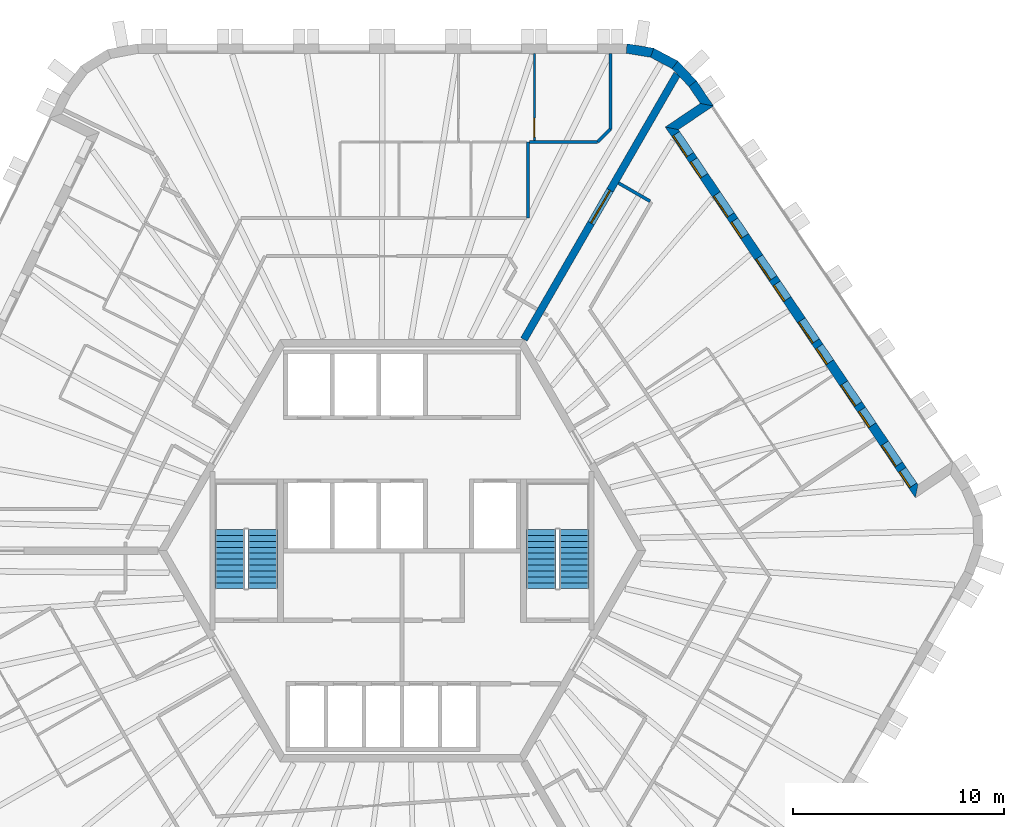
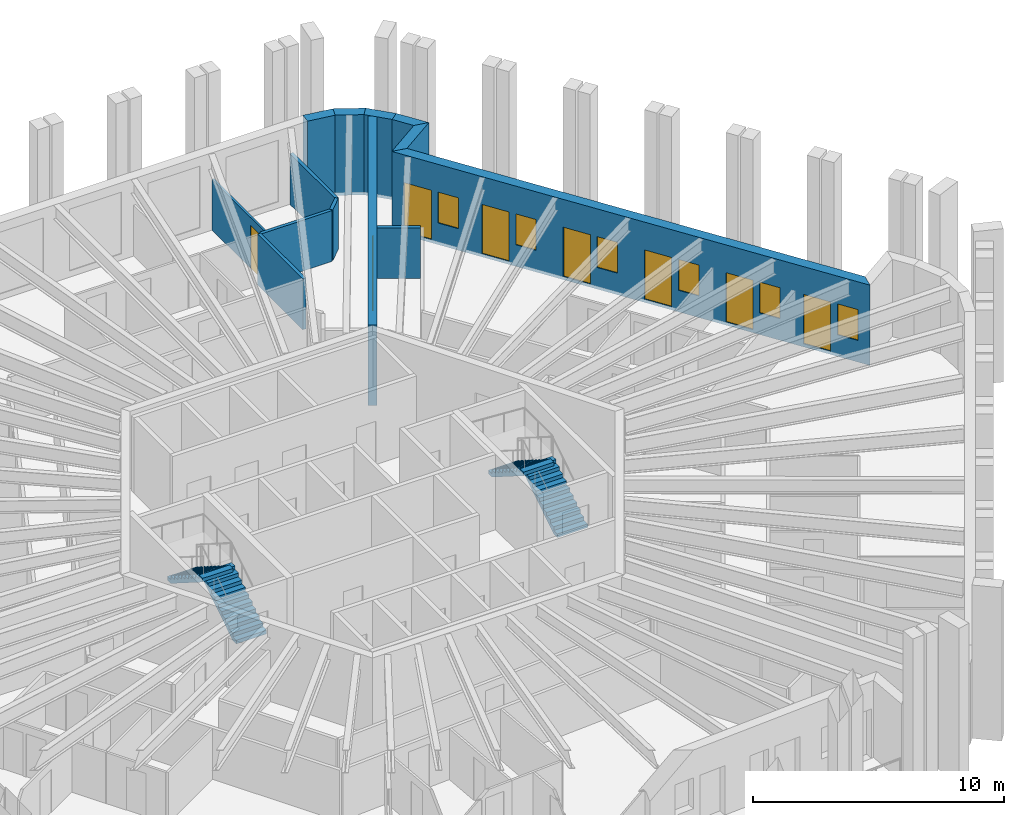
# One storey, part 10 of 12: 13 walls, 8 doors, 6 windows, 4 stair flights, 14 openings, 2 elements without a shape of their own.
"""IFC4 building model written with IfcOpenShell, lengths in metres."""

from ifc_helpers import new_model, si_unit, direction, frame, frame_2d, origin, place, context, subcontext, project, spatial, polyline, rectangle, outline, extrude, material, layer, layer_set, type_object, element, fill, aggregate, save


model = new_model("IFC4")

# Units and contexts
model_context = context("Model", 3, precision=1e-05, world=origin(), true_north=direction((0.0, 1.0)))
body_context = subcontext(model_context, "Body", "Model", "MODEL_VIEW")
ifc_project = project(units=[si_unit("LENGTHUNIT", "METRE"), si_unit("AREAUNIT", "SQUARE_METRE"), si_unit("VOLUMEUNIT", "CUBIC_METRE"), si_unit("PLANEANGLEUNIT", "RADIAN"), si_unit("MASSUNIT", "GRAM", prefix="KILO")], contexts=[model_context])

# Site, building, storey
site_placement = place(None, origin())
site = spatial("IfcSite", under=ifc_project, at=site_placement, CompositionType="ELEMENT")
building_placement = place(site_placement, origin())
building = spatial("IfcBuilding", under=site, at=building_placement, Name="Tarnside Tower", CompositionType="ELEMENT")
storey_placement = place(building_placement, frame((0.0, 0.0, 369.0)))
storey = spatial("IfcBuildingStorey", under=building, at=storey_placement, Name="L89", CompositionType="ELEMENT", Elevation=369.0)

# Wall, opening, door
ifc_material_1 = material(Name="Concrete C50/60", Category="concrete")
ifc_layer_1 = layer(ifc_material_1, 0.35009765625)
ifc_layer_set_1 = layer_set([ifc_layer_1], Name="Core wall Z4 350 C50/60")
wall_type_1 = type_object("IfcWallType", Name="Core wall Z4 350 C50/60", PredefinedType="SHEAR", material=ifc_layer_set_1)
wall_1_placement = place(storey_placement, frame((5.7734375, 10.0, -0.14990234375), z_axis=(0.0, 0.0, 1.0), x_axis=(0.500007911273, 0.866020836161, 0.0)))
wall_1 = element("IfcWall", 1, at=wall_1_placement, inside=storey, type_object=wall_type_1, Name="L89 spine wall 1", PredefinedType="SHEAR", context=body_context, shape_type="SweptSolid", body=[
    extrude(rectangle(XDim=14.510498046875, YDim=0.35009765625, at=frame_2d((7.25537109375, 0.0))), origin(), (0.0, 0.0, 1.0), 3.89990234375),
])
opening_1_placement = place(wall_1_placement, frame((6.355224609375, 0.0, 0.14990234375)))
opening_1 = element("IfcOpeningElement", 2, at=opening_1_placement, cuts=wall_1, Name="Opening CD-SPN", PredefinedType="OPENING", context=body_context, shape_type="SweptSolid", body=[
    extrude(rectangle(XDim=1.800048828125, YDim=2.39990234375, at=frame_2d((0.89990234375, 1.199951171875))), frame((0.0, 0.18505859375, 0.0), z_axis=(0.0, -1.0, 0.0), x_axis=(1.0, 0.0, 0.0)), (0.0, 0.0, 1.0), 0.3701171875),
])
ifc_material_2 = material(Name="Steel fire door", Category="steel")
door_type_1 = type_object("IfcDoorType", Name="Spine passage double door FD60 1800x2400", OperationType="NOTDEFINED", PredefinedType="DOOR", material=ifc_material_2)
door_1_placement = place(opening_1_placement, origin())
door_1 = element("IfcDoor", 3, at=door_1_placement, inside=storey, type_object=door_type_1, Name="L89 spine passage door 1", OperationType="DOUBLE_DOOR_SINGLE_SWING", OverallHeight=2.39990234375, OverallWidth=1.800048828125, PredefinedType="DOOR", context=body_context, shape_type="SweptSolid", body=[
    extrude(rectangle(XDim=1.800048828125, YDim=2.39990234375, at=frame_2d((0.89990234375, 1.199951171875))), frame((0.0, 0.02490234375, 0.0), z_axis=(0.0, -1.0, 0.0), x_axis=(1.0, 0.0, 0.0)), (0.0, 0.0, 1.0), 0.050048828125),
])
fill(opening_1, door_1)

# Walls
ifc_material_3 = material(Name="Gypsum board partition on steel studs", Category="steel")
ifc_layer_2 = layer(ifc_material_3, 0.14990234375)
ifc_layer_set_2 = layer_set([ifc_layer_2], Name="Corridor wall 150 EI 60")
wall_type_2 = type_object("IfcWallType", Name="Corridor wall 150 EI 60", PredefinedType="PARTITIONING", material=ifc_layer_set_2)
wall_2_placement = place(storey_placement, frame((5.9619140625, 19.35009765625, 0.0), z_axis=(0.0, 0.0, 1.0), x_axis=(0.0, -1.0, 0.0)))
element("IfcWall", 4, at=wall_2_placement, inside=storey, type_object=wall_type_2, Name="Corridor wall 29004", PredefinedType="PARTITIONING", context=body_context, shape_type="SweptSolid", body=[
    extrude(rectangle(XDim=3.60009765625, YDim=0.14990234375, at=frame_2d((1.800048828125, 0.0))), origin(), (0.0, 0.0, 1.0), 2.469970703125),
])
wall_3_placement = place(storey_placement, frame((9.268310546875, 19.35009765625, 0.0), z_axis=(0.0, 0.0, 1.0), x_axis=(-1.0, 0.0, 0.0)))
element("IfcWall", 5, at=wall_3_placement, inside=storey, type_object=wall_type_2, Name="Corridor wall 29006", PredefinedType="PARTITIONING", context=body_context, shape_type="SweptSolid", body=[
    extrude(rectangle(XDim=3.234375, YDim=0.14990234375, at=frame_2d((1.6171875, 0.0))), origin(), (0.0, 0.0, 1.0), 2.469970703125),
])
wall_4_placement = place(storey_placement, frame((9.8681640625, 19.94970703125, 0.0), z_axis=(0.0, 0.0, 1.0), x_axis=(-0.707250750801, -0.706962782254, 0.0)))
element("IfcWall", 6, at=wall_4_placement, inside=storey, type_object=wall_type_2, Name="Corridor wall 29007", PredefinedType="PARTITIONING", context=body_context, shape_type="SweptSolid", body=[
    extrude(rectangle(XDim=0.847900390625, YDim=0.14990234375, at=frame_2d((0.423828125, 0.0))), origin(), (0.0, 0.0, 1.0), 2.469970703125),
])
wall_5_placement = place(storey_placement, frame((9.868408203125, 23.550048828125, 0.0), z_axis=(0.0, 0.0, 1.0), x_axis=(0.0, -1.0, 0.0)))
element("IfcWall", 7, at=wall_5_placement, inside=storey, type_object=wall_type_2, Name="Corridor wall 29008", PredefinedType="PARTITIONING", context=body_context, shape_type="SweptSolid", body=[
    extrude(rectangle(XDim=3.599853515625, YDim=0.14990234375, at=frame_2d((1.7998046875, 0.0))), origin(), (0.0, 0.0, 1.0), 2.469970703125),
])
wall_6_placement = place(storey_placement, frame((11.74658203125, 16.545654296875, 0.0), z_axis=(0.0, 0.0, 1.0), x_axis=(-0.866013532718, 0.500020560727, 0.0)))
element("IfcWall", 8, at=wall_6_placement, inside=storey, type_object=wall_type_2, Name="Corridor wall 29064", PredefinedType="PARTITIONING", context=body_context, shape_type="SweptSolid", body=[
    extrude(rectangle(XDim=1.72509765625, YDim=0.14990234375, at=frame_2d((0.862548828125, 0.0))), origin(), (0.0, 0.0, 1.0), 2.469970703125),
])

# Wall, openings, doors, windows
ifc_material_4 = material(Name="Dark zinc cladding")
ifc_layer_3 = layer(ifc_material_4, 0.10205078125)
ifc_material_5 = material(Name="Concrete C60/75 precast", Category="concrete")
ifc_layer_4 = layer(ifc_material_5, 0.248046875)
ifc_material_6 = material(Name="Mineral wool insulation")
ifc_layer_5 = layer(ifc_material_6, 0.10009765625)
ifc_layer_set_3 = layer_set([ifc_layer_3, ifc_layer_4, ifc_layer_5], Name="Loggia wall 450 zinc faced")
wall_type_3 = type_object("IfcWallType", Name="Loggia wall 450 zinc faced", PredefinedType="SOLIDWALL", material=ifc_layer_set_3)
wall_7_placement = place(storey_placement, frame((24.36962890625, 2.810546875, -0.14990234375), z_axis=(0.0, 0.0, 1.0), x_axis=(-0.559187034749, 0.829041531027, 0.0)))
wall_7 = element("IfcWall", 9, at=wall_7_placement, inside=storey, type_object=wall_type_3, Name="Tube wall L89 F6 back 30", PredefinedType="SOLIDWALL", context=body_context, shape_type="SweptSolid", body=[
    extrude(outline(polyline([(0.224853515625, -0.22509765625), (20.50634765625, -0.22509765625), (20.95654296875, 0.22509765625), (-0.224853515625, 0.22509765625), (0.224853515625, -0.22509765625)])), origin(), (0.0, 0.0, 1.0), 3.89990234375),
])
opening_2_placement = place(wall_7_placement, frame((0.324951171875, 0.0, 1.050048828125)))
opening_2 = element("IfcOpeningElement", 10, at=opening_2_placement, cuts=wall_7, Name="Opening WL450", PredefinedType="OPENING", context=body_context, shape_type="SweptSolid", body=[
    extrude(rectangle(XDim=0.89990234375, YDim=1.5, at=frame_2d((0.449951171875, 0.75))), frame((0.0, 0.23486328125, 0.0), z_axis=(0.0, -1.0, 0.0), x_axis=(1.0, 0.0, 0.0)), (0.0, 0.0, 1.0), 0.469970703125),
])
opening_3_placement = place(wall_7_placement, frame((1.52490234375, 0.0, 0.14990234375)))
opening_3 = element("IfcOpeningElement", 11, at=opening_3_placement, cuts=wall_7, Name="Opening DB450", PredefinedType="OPENING", context=body_context, shape_type="SweptSolid", body=[
    extrude(rectangle(XDim=1.199951171875, YDim=2.39990234375, at=frame_2d((0.60009765625, 1.199951171875))), frame((0.0, 0.23486328125, 0.0), z_axis=(0.0, -1.0, 0.0), x_axis=(1.0, 0.0, 0.0)), (0.0, 0.0, 1.0), 0.469970703125),
])
opening_4_placement = place(wall_7_placement, frame((3.765869140625, 0.0, 1.050048828125)))
opening_4 = element("IfcOpeningElement", 12, at=opening_4_placement, cuts=wall_7, Name="Opening WL450", PredefinedType="OPENING", context=body_context, shape_type="SweptSolid", body=[
    extrude(rectangle(XDim=0.89990234375, YDim=1.5, at=frame_2d((0.449951171875, 0.75))), frame((0.0, 0.23486328125, 0.0), z_axis=(0.0, -1.0, 0.0), x_axis=(1.0, 0.0, 0.0)), (0.0, 0.0, 1.0), 0.469970703125),
])
opening_5_placement = place(wall_7_placement, frame((4.9658203125, 0.0, 0.14990234375)))
opening_5 = element("IfcOpeningElement", 13, at=opening_5_placement, cuts=wall_7, Name="Opening DB450", PredefinedType="OPENING", context=body_context, shape_type="SweptSolid", body=[
    extrude(rectangle(XDim=1.199951171875, YDim=2.39990234375, at=frame_2d((0.60009765625, 1.199951171875))), frame((0.0, 0.23486328125, 0.0), z_axis=(0.0, -1.0, 0.0), x_axis=(1.0, 0.0, 0.0)), (0.0, 0.0, 1.0), 0.469970703125),
])
opening_6_placement = place(wall_7_placement, frame((7.36572265625, 0.0, 1.050048828125)))
opening_6 = element("IfcOpeningElement", 14, at=opening_6_placement, cuts=wall_7, Name="Opening WL450", PredefinedType="OPENING", context=body_context, shape_type="SweptSolid", body=[
    extrude(rectangle(XDim=0.89990234375, YDim=1.5, at=frame_2d((0.449951171875, 0.75))), frame((0.0, 0.23486328125, 0.0), z_axis=(0.0, -1.0, 0.0), x_axis=(1.0, 0.0, 0.0)), (0.0, 0.0, 1.0), 0.469970703125),
])
opening_7_placement = place(wall_7_placement, frame((8.56591796875, 0.0, 0.14990234375)))
opening_7 = element("IfcOpeningElement", 15, at=opening_7_placement, cuts=wall_7, Name="Opening DB450", PredefinedType="OPENING", context=body_context, shape_type="SweptSolid", body=[
    extrude(rectangle(XDim=1.199951171875, YDim=2.39990234375, at=frame_2d((0.60009765625, 1.199951171875))), frame((0.0, 0.23486328125, 0.0), z_axis=(0.0, -1.0, 0.0), x_axis=(1.0, 0.0, 0.0)), (0.0, 0.0, 1.0), 0.469970703125),
])
opening_8_placement = place(wall_7_placement, frame((10.9658203125, 0.0, 1.050048828125)))
opening_8 = element("IfcOpeningElement", 16, at=opening_8_placement, cuts=wall_7, Name="Opening WL450", PredefinedType="OPENING", context=body_context, shape_type="SweptSolid", body=[
    extrude(rectangle(XDim=0.89990234375, YDim=1.5, at=frame_2d((0.449951171875, 0.75))), frame((0.0, 0.23486328125, 0.0), z_axis=(0.0, -1.0, 0.0), x_axis=(1.0, 0.0, 0.0)), (0.0, 0.0, 1.0), 0.469970703125),
])
opening_9_placement = place(wall_7_placement, frame((12.165771484375, 0.0, 0.14990234375)))
opening_9 = element("IfcOpeningElement", 17, at=opening_9_placement, cuts=wall_7, Name="Opening DB450", PredefinedType="OPENING", context=body_context, shape_type="SweptSolid", body=[
    extrude(rectangle(XDim=1.199951171875, YDim=2.39990234375, at=frame_2d((0.60009765625, 1.199951171875))), frame((0.0, 0.23486328125, 0.0), z_axis=(0.0, -1.0, 0.0), x_axis=(1.0, 0.0, 0.0)), (0.0, 0.0, 1.0), 0.469970703125),
])
opening_10_placement = place(wall_7_placement, frame((14.56591796875, 0.0, 1.050048828125)))
opening_10 = element("IfcOpeningElement", 18, at=opening_10_placement, cuts=wall_7, Name="Opening WL450", PredefinedType="OPENING", context=body_context, shape_type="SweptSolid", body=[
    extrude(rectangle(XDim=0.89990234375, YDim=1.5, at=frame_2d((0.449951171875, 0.75))), frame((0.0, 0.23486328125, 0.0), z_axis=(0.0, -1.0, 0.0), x_axis=(1.0, 0.0, 0.0)), (0.0, 0.0, 1.0), 0.469970703125),
])
opening_11_placement = place(wall_7_placement, frame((15.765869140625, 0.0, 0.14990234375)))
opening_11 = element("IfcOpeningElement", 19, at=opening_11_placement, cuts=wall_7, Name="Opening DB450", PredefinedType="OPENING", context=body_context, shape_type="SweptSolid", body=[
    extrude(rectangle(XDim=1.199951171875, YDim=2.39990234375, at=frame_2d((0.60009765625, 1.199951171875))), frame((0.0, 0.23486328125, 0.0), z_axis=(0.0, -1.0, 0.0), x_axis=(1.0, 0.0, 0.0)), (0.0, 0.0, 1.0), 0.469970703125),
])
opening_12_placement = place(wall_7_placement, frame((18.006591796875, 0.0, 1.050048828125)))
opening_12 = element("IfcOpeningElement", 20, at=opening_12_placement, cuts=wall_7, Name="Opening WL450", PredefinedType="OPENING", context=body_context, shape_type="SweptSolid", body=[
    extrude(rectangle(XDim=0.89990234375, YDim=1.5, at=frame_2d((0.449951171875, 0.75))), frame((0.0, 0.23486328125, 0.0), z_axis=(0.0, -1.0, 0.0), x_axis=(1.0, 0.0, 0.0)), (0.0, 0.0, 1.0), 0.469970703125),
])
opening_13_placement = place(wall_7_placement, frame((19.20654296875, 0.0, 0.14990234375)))
opening_13 = element("IfcOpeningElement", 21, at=opening_13_placement, cuts=wall_7, Name="Opening DB450", PredefinedType="OPENING", context=body_context, shape_type="SweptSolid", body=[
    extrude(rectangle(XDim=1.199951171875, YDim=2.39990234375, at=frame_2d((0.60009765625, 1.199951171875))), frame((0.0, 0.23486328125, 0.0), z_axis=(0.0, -1.0, 0.0), x_axis=(1.0, 0.0, 0.0)), (0.0, 0.0, 1.0), 0.469970703125),
])
ifc_material_7 = material(Name="Aluminium-framed double glazing", Category="aluminium")
door_type_2 = type_object("IfcDoorType", Name="Balcony sliding door 1200 x 2400 in 450 wall", OperationType="SLIDING_TO_LEFT", PredefinedType="DOOR", material=ifc_material_7)
door_2_placement = place(opening_3_placement, frame((0.0, 0.150146484375, 0.0)))
door_2 = element("IfcDoor", 22, at=door_2_placement, inside=storey, type_object=door_type_2, Name="E.BD.L89.F6.00", OperationType="SLIDING_TO_LEFT", OverallHeight=2.39990234375, OverallWidth=1.199951171875, PredefinedType="DOOR", context=body_context, shape_type="SweptSolid", body=[
    extrude(rectangle(XDim=1.199951171875, YDim=2.39990234375, at=frame_2d((0.60009765625, 1.199951171875))), frame((0.0, 0.02490234375, 0.0), z_axis=(0.0, -1.0, 0.0), x_axis=(1.0, 0.0, 0.0)), (0.0, 0.0, 1.0), 0.050048828125),
])
fill(opening_3, door_2)
door_3_placement = place(opening_5_placement, frame((0.0, 0.150146484375, 0.0)))
door_3 = element("IfcDoor", 23, at=door_3_placement, inside=storey, type_object=door_type_2, Name="E.BD.L89.F6.01", OperationType="SLIDING_TO_LEFT", OverallHeight=2.39990234375, OverallWidth=1.199951171875, PredefinedType="DOOR", context=body_context, shape_type="SweptSolid", body=[
    extrude(rectangle(XDim=1.199951171875, YDim=2.39990234375, at=frame_2d((0.60009765625, 1.199951171875))), frame((0.0, 0.02490234375, 0.0), z_axis=(0.0, -1.0, 0.0), x_axis=(1.0, 0.0, 0.0)), (0.0, 0.0, 1.0), 0.050048828125),
])
fill(opening_5, door_3)
door_4_placement = place(opening_7_placement, frame((0.0, 0.150146484375, 0.0)))
door_4 = element("IfcDoor", 24, at=door_4_placement, inside=storey, type_object=door_type_2, Name="E.BD.L89.F6.02", OperationType="SLIDING_TO_LEFT", OverallHeight=2.39990234375, OverallWidth=1.199951171875, PredefinedType="DOOR", context=body_context, shape_type="SweptSolid", body=[
    extrude(rectangle(XDim=1.199951171875, YDim=2.39990234375, at=frame_2d((0.60009765625, 1.199951171875))), frame((0.0, 0.02490234375, 0.0), z_axis=(0.0, -1.0, 0.0), x_axis=(1.0, 0.0, 0.0)), (0.0, 0.0, 1.0), 0.050048828125),
])
fill(opening_7, door_4)
door_5_placement = place(opening_9_placement, frame((0.0, 0.150146484375, 0.0)))
door_5 = element("IfcDoor", 25, at=door_5_placement, inside=storey, type_object=door_type_2, Name="E.BD.L89.F6.03", OperationType="SLIDING_TO_LEFT", OverallHeight=2.39990234375, OverallWidth=1.199951171875, PredefinedType="DOOR", context=body_context, shape_type="SweptSolid", body=[
    extrude(rectangle(XDim=1.199951171875, YDim=2.39990234375, at=frame_2d((0.60009765625, 1.199951171875))), frame((0.0, 0.02490234375, 0.0), z_axis=(0.0, -1.0, 0.0), x_axis=(1.0, 0.0, 0.0)), (0.0, 0.0, 1.0), 0.050048828125),
])
fill(opening_9, door_5)
door_6_placement = place(opening_11_placement, frame((0.0, 0.150146484375, 0.0)))
door_6 = element("IfcDoor", 26, at=door_6_placement, inside=storey, type_object=door_type_2, Name="E.BD.L89.F6.04", OperationType="SLIDING_TO_LEFT", OverallHeight=2.39990234375, OverallWidth=1.199951171875, PredefinedType="DOOR", context=body_context, shape_type="SweptSolid", body=[
    extrude(rectangle(XDim=1.199951171875, YDim=2.39990234375, at=frame_2d((0.60009765625, 1.199951171875))), frame((0.0, 0.02490234375, 0.0), z_axis=(0.0, -1.0, 0.0), x_axis=(1.0, 0.0, 0.0)), (0.0, 0.0, 1.0), 0.050048828125),
])
fill(opening_11, door_6)
door_7_placement = place(opening_13_placement, frame((0.0, 0.150146484375, 0.0)))
door_7 = element("IfcDoor", 27, at=door_7_placement, inside=storey, type_object=door_type_2, Name="E.BD.L89.F6.05", OperationType="SLIDING_TO_LEFT", OverallHeight=2.39990234375, OverallWidth=1.199951171875, PredefinedType="DOOR", context=body_context, shape_type="SweptSolid", body=[
    extrude(rectangle(XDim=1.199951171875, YDim=2.39990234375, at=frame_2d((0.60009765625, 1.199951171875))), frame((0.0, 0.02490234375, 0.0), z_axis=(0.0, -1.0, 0.0), x_axis=(1.0, 0.0, 0.0)), (0.0, 0.0, 1.0), 0.050048828125),
])
fill(opening_13, door_7)
window_type = type_object("IfcWindowType", Name="Loggia window 900 x 1500 in 450 wall", PartitioningType="SINGLE_PANEL", PredefinedType="WINDOW", material=ifc_material_7)
window_1_placement = place(opening_2_placement, frame((0.0, 0.1552734375, 0.0)))
window_1 = element("IfcWindow", 28, at=window_1_placement, inside=storey, type_object=window_type, Name="E.LW.L89.F6.00", OverallHeight=1.5, OverallWidth=0.89990234375, PartitioningType="SINGLE_PANEL", PredefinedType="WINDOW", context=body_context, shape_type="SweptSolid", body=[
    extrude(rectangle(XDim=0.89990234375, YDim=1.5, at=frame_2d((0.449951171875, 0.75))), frame((0.0, 0.030029296875, 0.0), z_axis=(0.0, -1.0, 0.0), x_axis=(1.0, 0.0, 0.0)), (0.0, 0.0, 1.0), 0.06005859375),
])
fill(opening_2, window_1)
window_2_placement = place(opening_4_placement, frame((0.0, 0.1552734375, 0.0)))
window_2 = element("IfcWindow", 29, at=window_2_placement, inside=storey, type_object=window_type, Name="E.LW.L89.F6.01", OverallHeight=1.5, OverallWidth=0.89990234375, PartitioningType="SINGLE_PANEL", PredefinedType="WINDOW", context=body_context, shape_type="SweptSolid", body=[
    extrude(rectangle(XDim=0.89990234375, YDim=1.5, at=frame_2d((0.449951171875, 0.75))), frame((0.0, 0.030029296875, 0.0), z_axis=(0.0, -1.0, 0.0), x_axis=(1.0, 0.0, 0.0)), (0.0, 0.0, 1.0), 0.06005859375),
])
fill(opening_4, window_2)
window_3_placement = place(opening_6_placement, frame((0.0, 0.1552734375, 0.0)))
window_3 = element("IfcWindow", 30, at=window_3_placement, inside=storey, type_object=window_type, Name="E.LW.L89.F6.02", OverallHeight=1.5, OverallWidth=0.89990234375, PartitioningType="SINGLE_PANEL", PredefinedType="WINDOW", context=body_context, shape_type="SweptSolid", body=[
    extrude(rectangle(XDim=0.89990234375, YDim=1.5, at=frame_2d((0.449951171875, 0.75))), frame((0.0, 0.030029296875, 0.0), z_axis=(0.0, -1.0, 0.0), x_axis=(1.0, 0.0, 0.0)), (0.0, 0.0, 1.0), 0.06005859375),
])
fill(opening_6, window_3)
window_4_placement = place(opening_8_placement, frame((0.0, 0.1552734375, 0.0)))
window_4 = element("IfcWindow", 31, at=window_4_placement, inside=storey, type_object=window_type, Name="E.LW.L89.F6.03", OverallHeight=1.5, OverallWidth=0.89990234375, PartitioningType="SINGLE_PANEL", PredefinedType="WINDOW", context=body_context, shape_type="SweptSolid", body=[
    extrude(rectangle(XDim=0.89990234375, YDim=1.5, at=frame_2d((0.449951171875, 0.75))), frame((0.0, 0.030029296875, 0.0), z_axis=(0.0, -1.0, 0.0), x_axis=(1.0, 0.0, 0.0)), (0.0, 0.0, 1.0), 0.06005859375),
])
fill(opening_8, window_4)
window_5_placement = place(opening_10_placement, frame((0.0, 0.1552734375, 0.0)))
window_5 = element("IfcWindow", 32, at=window_5_placement, inside=storey, type_object=window_type, Name="E.LW.L89.F6.04", OverallHeight=1.5, OverallWidth=0.89990234375, PartitioningType="SINGLE_PANEL", PredefinedType="WINDOW", context=body_context, shape_type="SweptSolid", body=[
    extrude(rectangle(XDim=0.89990234375, YDim=1.5, at=frame_2d((0.449951171875, 0.75))), frame((0.0, 0.030029296875, 0.0), z_axis=(0.0, -1.0, 0.0), x_axis=(1.0, 0.0, 0.0)), (0.0, 0.0, 1.0), 0.06005859375),
])
fill(opening_10, window_5)
window_6_placement = place(opening_12_placement, frame((0.0, 0.1552734375, 0.0)))
window_6 = element("IfcWindow", 33, at=window_6_placement, inside=storey, type_object=window_type, Name="E.LW.L89.F6.05", OverallHeight=1.5, OverallWidth=0.89990234375, PartitioningType="SINGLE_PANEL", PredefinedType="WINDOW", context=body_context, shape_type="SweptSolid", body=[
    extrude(rectangle(XDim=0.89990234375, YDim=1.5, at=frame_2d((0.449951171875, 0.75))), frame((0.0, 0.030029296875, 0.0), z_axis=(0.0, -1.0, 0.0), x_axis=(1.0, 0.0, 0.0)), (0.0, 0.0, 1.0), 0.06005859375),
])
fill(opening_12, window_6)

# Walls
wall_8_placement = place(storey_placement, frame((12.77685546875, 19.997802734375, -0.14990234375), z_axis=(0.0, 0.0, 1.0), x_axis=(0.829014217969, 0.559227526508, 0.0)))
element("IfcWall", 34, at=wall_8_placement, inside=storey, type_object=wall_type_3, Name="Tube wall L89 F6 return 31", PredefinedType="SOLIDWALL", context=body_context, shape_type="SweptSolid", body=[
    extrude(outline(polyline([(0.224853515625, -0.22509765625), (2.22509765625, -0.22509765625), (1.77490234375, 0.22509765625), (-0.224853515625, 0.22509765625), (0.224853515625, -0.22509765625)])), origin(), (0.0, 0.0, 1.0), 3.89990234375),
])
wall_9_placement = place(storey_placement, frame((14.434814453125, 21.1162109375, -0.14990234375), z_axis=(0.0, 0.0, 1.0), x_axis=(-0.559200218553, 0.829032638423, 0.0)))
element("IfcWall", 35, at=wall_9_placement, inside=storey, type_object=wall_type_3, Name="Tube wall L89 F6 stub 32", PredefinedType="SOLIDWALL", context=body_context, shape_type="SweptSolid", body=[
    extrude(outline(polyline([(-0.224853515625, -0.22509765625), (1.218017578125, -0.22509765625), (1.181396484375, 0.22509765625), (0.224853515625, 0.22509765625), (-0.224853515625, -0.22509765625)])), origin(), (0.0, 0.0, 1.0), 3.89990234375),
])

# Wall, opening, door
ifc_layer_6 = layer(ifc_material_3, 0.10009765625)
ifc_layer_set_4 = layer_set([ifc_layer_6], Name="Partition 100")
wall_type_4 = type_object("IfcWallType", Name="Partition 100", PredefinedType="PARTITIONING", material=ifc_layer_set_4)
wall_10_placement = place(storey_placement, frame((6.268310546875, 23.550048828125, 0.0), z_axis=(0.0, 0.0, 1.0), x_axis=(0.0, -1.0, 0.0)))
wall_10 = element("IfcWall", 36, at=wall_10_placement, inside=storey, type_object=wall_type_4, Name="Partition wall 29093", PredefinedType="PARTITIONING", context=body_context, shape_type="SweptSolid", body=[
    extrude(rectangle(XDim=4.125, YDim=0.10009765625, at=frame_2d((2.0625, 0.0))), origin(), (0.0, 0.0, 1.0), 2.469970703125),
])
opening_14_placement = place(wall_10_placement, frame((3.074951171875, 0.0, 0.0)))
opening_14 = element("IfcOpeningElement", 37, at=opening_14_placement, cuts=wall_10, Name="Opening D-I1", PredefinedType="OPENING", context=body_context, shape_type="SweptSolid", body=[
    extrude(rectangle(XDim=0.89990234375, YDim=2.10009765625, at=frame_2d((0.449951171875, 1.050048828125))), frame((0.0, 0.06005859375, 0.0), z_axis=(0.0, -1.0, 0.0), x_axis=(1.0, 0.0, 0.0)), (0.0, 0.0, 1.0), 0.1201171875),
])
ifc_material_8 = material(Name="Timber door leaf", Category="wood")
door_type_3 = type_object("IfcDoorType", Name="Internal door 900", OperationType="NOTDEFINED", PredefinedType="DOOR", material=ifc_material_8)
door_8_placement = place(opening_14_placement, origin())
door_8 = element("IfcDoor", 38, at=door_8_placement, inside=storey, type_object=door_type_3, Name="Internal door 29006", OperationType="SINGLE_SWING_RIGHT", OverallHeight=2.10009765625, OverallWidth=0.89990234375, PredefinedType="DOOR", context=body_context, shape_type="SweptSolid", body=[
    extrude(rectangle(XDim=0.89990234375, YDim=2.10009765625, at=frame_2d((0.449951171875, 1.050048828125))), frame((0.0, 0.02490234375, 0.0), z_axis=(0.0, -1.0, 0.0), x_axis=(1.0, 0.0, 0.0)), (0.0, 0.0, 1.0), 0.050048828125),
])
fill(opening_14, door_8)

# Walls
ifc_material_9 = material(Name="Facing brick", Category="masonry")
ifc_layer_7 = layer(ifc_material_9, 0.10205078125)
ifc_layer_8 = layer(ifc_material_5, 0.248046875)
ifc_layer_9 = layer(ifc_material_6, 0.10009765625)
ifc_layer_set_5 = layer_set([ifc_layer_7, ifc_layer_8, ifc_layer_9], Name="Tube wall 450 brick faced")
wall_type_5 = type_object("IfcWallType", Name="Tube wall 450 brick faced", PredefinedType="SOLIDWALL", material=ifc_layer_set_5)
wall_11_placement = place(storey_placement, frame((13.763916015625, 22.11083984375, -0.14990234375), z_axis=(0.0, 0.0, 1.0), x_axis=(-0.686272176549, 0.727344828603, 0.0)))
element("IfcWall", 39, at=wall_11_placement, inside=storey, type_object=wall_type_5, Name="Tube wall L89 F6 chord 33", PredefinedType="SOLIDWALL", context=body_context, shape_type="SweptSolid", body=[
    extrude(outline(polyline([(-0.018310546875, -0.22509765625), (1.261474609375, -0.22509765625), (1.187744140625, 0.22509765625), (0.018310546875, 0.22509765625), (-0.018310546875, -0.22509765625)])), origin(), (0.0, 0.0, 1.0), 3.89990234375),
])
wall_12_placement = place(storey_placement, frame((12.923583984375, 23.00146484375, -0.14990234375), z_axis=(0.0, 0.0, 1.0), x_axis=(-0.882898771447, 0.469563370993, 0.0)))
element("IfcWall", 40, at=wall_12_placement, inside=storey, type_object=wall_type_5, Name="Tube wall L89 F6 chord 34", PredefinedType="SOLIDWALL", context=body_context, shape_type="SweptSolid", body=[
    extrude(outline(polyline([(-0.036865234375, -0.22509765625), (1.26123046875, -0.22509765625), (1.1875, 0.22509765625), (0.036865234375, 0.22509765625), (-0.036865234375, -0.22509765625)])), origin(), (0.0, 0.0, 1.0), 3.89990234375),
])
wall_13_placement = place(storey_placement, frame((11.842529296875, 23.576416015625, -0.14990234375), z_axis=(0.0, 0.0, 1.0), x_axis=(-0.986773862881, 0.162102879475, 0.0)))
element("IfcWall", 41, at=wall_13_placement, inside=storey, type_object=wall_type_5, Name="Tube wall L89 F6 chord 35", PredefinedType="SOLIDWALL", context=body_context, shape_type="SweptSolid", body=[
    extrude(outline(polyline([(-0.036865234375, -0.22509765625), (1.24267578125, -0.22509765625), (1.2060546875, 0.22509765625), (0.036865234375, 0.22509765625), (-0.036865234375, -0.22509765625)])), origin(), (0.0, 0.0, 1.0), 3.89990234375),
])

# Stair, stair flights
ifc_material_10 = material(Name="Concrete C40/50", Category="concrete")
stair_type = type_object("IfcStairType", Name="Exit stair 1400 clear", PredefinedType="HALF_TURN_STAIR", material=ifc_material_10)
stair_1_placement = place(storey_placement, origin())
stair_1 = element("IfcStair", 42, at=stair_1_placement, inside=storey, type_object=stair_type, Name="L89 Exit stair 1", PredefinedType="HALF_TURN_STAIR")
stair_flight_type = type_object("IfcStairFlightType", Name="Exit stair flight 1400", PredefinedType="STRAIGHT", material=ifc_material_10)
stair_flight_1_placement = place(storey_placement, frame((8.14990234375, -1.800048828125, 0.0), z_axis=(0.0, 0.0, 1.0), x_axis=(0.0, 1.0, 0.0)))
stair_flight_1 = element("IfcStairFlight", 43, at=stair_flight_1_placement, type_object=stair_flight_type, Name="ST1 flight 1", NumberOfRisers=11, NumberOfTreads=10, PredefinedType="STRAIGHT", RiserHeight=0.177272727, TreadLength=0.28, context=body_context, shape_type="SweptSolid", body=[
    extrude(outline(polyline([(0.0, 0.0), (0.0, 0.17724609375), (0.280029296875, 0.17724609375), (0.280029296875, 0.3544921875), (0.56005859375, 0.3544921875), (0.56005859375, 0.53173828125), (0.840087890625, 0.53173828125), (0.840087890625, 0.708984375), (1.1201171875, 0.708984375), (1.1201171875, 0.886474609375), (1.39990234375, 0.886474609375), (1.39990234375, 1.063720703125), (1.679931640625, 1.063720703125), (1.679931640625, 1.240966796875), (1.9599609375, 1.240966796875), (1.9599609375, 1.418212890625), (2.239990234375, 1.418212890625), (2.239990234375, 1.595458984375), (2.52001953125, 1.595458984375), (2.52001953125, 1.772705078125), (2.800048828125, 1.772705078125), (2.800048828125, 1.949951171875), (2.800048828125, 1.59521484375), (0.2802734375, 0.0), (0.0, 0.0)])), frame((0.0, 0.699951171875, 0.0), z_axis=(0.0, -1.0, 0.0), x_axis=(1.0, 0.0, 0.0)), (0.0, 0.0, 1.0), 1.39990234375),
])
stair_flight_2_placement = place(storey_placement, frame((6.60009765625, 1.0, 1.949951171875), z_axis=(0.0, 0.0, 1.0), x_axis=(0.0, -1.0, 0.0)))
stair_flight_2 = element("IfcStairFlight", 44, at=stair_flight_2_placement, type_object=stair_flight_type, Name="ST1 flight 2", NumberOfRisers=11, NumberOfTreads=10, PredefinedType="STRAIGHT", RiserHeight=0.177272727, TreadLength=0.28, context=body_context, shape_type="SweptSolid", body=[
    extrude(outline(polyline([(0.0, 0.0), (0.0, 0.17724609375), (0.280029296875, 0.17724609375), (0.280029296875, 0.3544921875), (0.56005859375, 0.3544921875), (0.56005859375, 0.53173828125), (0.840087890625, 0.53173828125), (0.840087890625, 0.708984375), (1.1201171875, 0.708984375), (1.1201171875, 0.886474609375), (1.39990234375, 0.886474609375), (1.39990234375, 1.063720703125), (1.679931640625, 1.063720703125), (1.679931640625, 1.240966796875), (1.9599609375, 1.240966796875), (1.9599609375, 1.418212890625), (2.239990234375, 1.418212890625), (2.239990234375, 1.595458984375), (2.52001953125, 1.595458984375), (2.52001953125, 1.772705078125), (2.800048828125, 1.772705078125), (2.800048828125, 1.949951171875), (2.800048828125, 1.59521484375), (0.2802734375, 0.0), (0.0, 0.0)])), frame((0.0, 0.699951171875, 0.0), z_axis=(0.0, -1.0, 0.0), x_axis=(1.0, 0.0, 0.0)), (0.0, 0.0, 1.0), 1.39990234375),
])
aggregate(stair_1, [stair_flight_1, stair_flight_2])

stair_2_placement = place(storey_placement, origin())
stair_2 = element("IfcStair", 45, at=stair_2_placement, inside=storey, type_object=stair_type, Name="L89 Exit stair 2", PredefinedType="HALF_TURN_STAIR")
stair_flight_3_placement = place(storey_placement, frame((-6.60009765625, -1.800048828125, 0.0), z_axis=(0.0, 0.0, 1.0), x_axis=(0.0, 1.0, 0.0)))
stair_flight_3 = element("IfcStairFlight", 46, at=stair_flight_3_placement, type_object=stair_flight_type, Name="ST2 flight 1", NumberOfRisers=11, NumberOfTreads=10, PredefinedType="STRAIGHT", RiserHeight=0.177272727, TreadLength=0.28, context=body_context, shape_type="SweptSolid", body=[
    extrude(outline(polyline([(0.0, 0.0), (0.0, 0.17724609375), (0.280029296875, 0.17724609375), (0.280029296875, 0.3544921875), (0.56005859375, 0.3544921875), (0.56005859375, 0.53173828125), (0.840087890625, 0.53173828125), (0.840087890625, 0.708984375), (1.1201171875, 0.708984375), (1.1201171875, 0.886474609375), (1.39990234375, 0.886474609375), (1.39990234375, 1.063720703125), (1.679931640625, 1.063720703125), (1.679931640625, 1.240966796875), (1.9599609375, 1.240966796875), (1.9599609375, 1.418212890625), (2.239990234375, 1.418212890625), (2.239990234375, 1.595458984375), (2.52001953125, 1.595458984375), (2.52001953125, 1.772705078125), (2.800048828125, 1.772705078125), (2.800048828125, 1.949951171875), (2.800048828125, 1.59521484375), (0.2802734375, 0.0), (0.0, 0.0)])), frame((0.0, 0.699951171875, 0.0), z_axis=(0.0, -1.0, 0.0), x_axis=(1.0, 0.0, 0.0)), (0.0, 0.0, 1.0), 1.39990234375),
])
stair_flight_4_placement = place(storey_placement, frame((-8.14990234375, 1.0, 1.949951171875), z_axis=(0.0, 0.0, 1.0), x_axis=(0.0, -1.0, 0.0)))
stair_flight_4 = element("IfcStairFlight", 47, at=stair_flight_4_placement, type_object=stair_flight_type, Name="ST2 flight 2", NumberOfRisers=11, NumberOfTreads=10, PredefinedType="STRAIGHT", RiserHeight=0.177272727, TreadLength=0.28, context=body_context, shape_type="SweptSolid", body=[
    extrude(outline(polyline([(0.0, 0.0), (0.0, 0.17724609375), (0.280029296875, 0.17724609375), (0.280029296875, 0.3544921875), (0.56005859375, 0.3544921875), (0.56005859375, 0.53173828125), (0.840087890625, 0.53173828125), (0.840087890625, 0.708984375), (1.1201171875, 0.708984375), (1.1201171875, 0.886474609375), (1.39990234375, 0.886474609375), (1.39990234375, 1.063720703125), (1.679931640625, 1.063720703125), (1.679931640625, 1.240966796875), (1.9599609375, 1.240966796875), (1.9599609375, 1.418212890625), (2.239990234375, 1.418212890625), (2.239990234375, 1.595458984375), (2.52001953125, 1.595458984375), (2.52001953125, 1.772705078125), (2.800048828125, 1.772705078125), (2.800048828125, 1.949951171875), (2.800048828125, 1.59521484375), (0.2802734375, 0.0), (0.0, 0.0)])), frame((0.0, 0.699951171875, 0.0), z_axis=(0.0, -1.0, 0.0), x_axis=(1.0, 0.0, 0.0)), (0.0, 0.0, 1.0), 1.39990234375),
])
aggregate(stair_2, [stair_flight_3, stair_flight_4])

save(model, "model.ifc")
